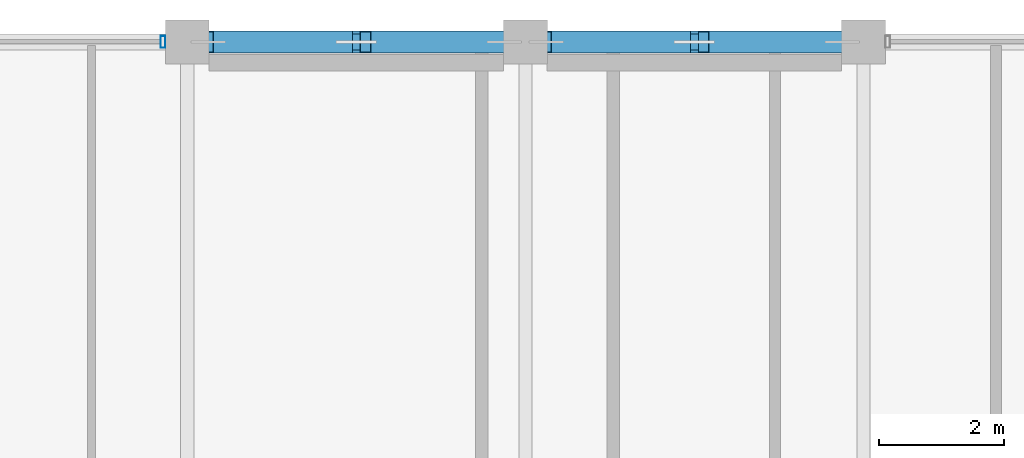
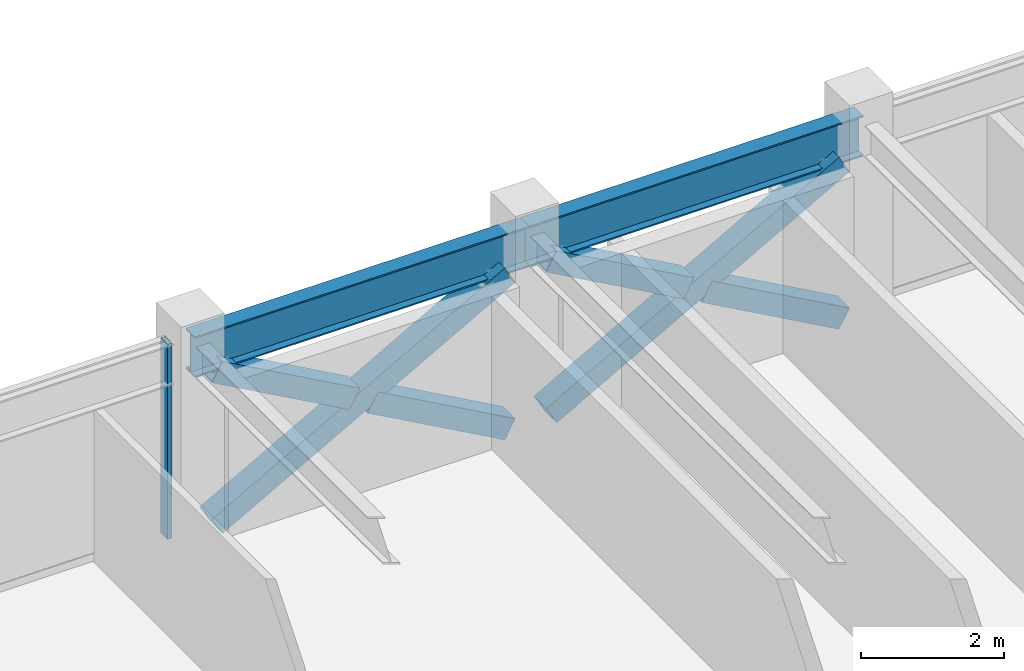
# One storey, part 19 of 31: 7 members, 2 beams, 1 element without a shape of its own.
"""IFC4 building model written with IfcOpenShell, lengths in metres."""

import ifcopenshell
import ifcopenshell.guid

model = None  # the IFC model being written
_history = None  # IfcOwnerHistory: only IFC2X3 demands one
_inside = {}  # id of a spatial element -> (the spatial element, [elements in it])
_under = {}  # id of a project, library or spatial element -> (it, [spatial elements below it])
_declared = {}  # id of a project -> (the project, [libraries it declares])
_typed = {}  # id of a type object -> (the type object, [elements of that type])
_made_of = {}  # id of a material, layer set ... -> (it, [elements and type objects made of it])


def new_model(schema):
    """Start an empty IFC model of exactly this schema.

    Asked for "IFC4X3", IfcOpenShell would pick the latest addendum, in which some entities
    have other attributes; the version numbers below select the first issue.
    IFC2X3 requires an IfcOwnerHistory on every rooted entity: one is made here for all.
    """
    global model, _history
    if schema == "IFC4X3":
        model = ifcopenshell.file(schema_version=(4, 3, 0, 0))
    else:
        model = ifcopenshell.file(schema=schema)
    _inside.clear()
    _under.clear()
    _declared.clear()
    _typed.clear()
    _made_of.clear()
    _history = None
    if model.schema == "IFC2X3":
        org = make("IfcOrganization", Name="unknown")
        user = make(
            "IfcPersonAndOrganization",
            ThePerson=make("IfcPerson", FamilyName="unknown"),
            TheOrganization=org,
        )
        app = make(
            "IfcApplication",
            ApplicationDeveloper=org,
            Version="unknown",
            ApplicationFullName="unknown",
            ApplicationIdentifier="unknown",
        )
        _history = make(
            "IfcOwnerHistory",
            OwningUser=user,
            OwningApplication=app,
            ChangeAction="ADDED",
            CreationDate=0,
        )
    return model


def make(cls, **values):
    """One entity of the class cls with the attributes given. An attribute that is None is left unset."""
    return model.create_entity(
        cls, **{name: value for name, value in values.items() if value is not None}
    )


def rooted(cls, **values):
    """An entity with a GlobalId (a new one), such as an element, a storey or a relation."""
    return make(cls, GlobalId=ifcopenshell.guid.new(), OwnerHistory=_history, **values)


def si_unit(unit_type, name, prefix=None):
    """IfcSIUnit, for example si_unit("LENGTHUNIT", "METRE", prefix="MILLI")."""
    return make("IfcSIUnit", UnitType=unit_type, Prefix=prefix, Name=name)


def assignment(units):
    """IfcUnitAssignment: the units of a project."""
    return None if units is None else make("IfcUnitAssignment", Units=units)


def point(xyz):
    """IfcCartesianPoint."""
    return None if xyz is None else make("IfcCartesianPoint", Coordinates=xyz)


def direction(xyz):
    """IfcDirection."""
    return None if xyz is None else make("IfcDirection", DirectionRatios=xyz)


def frame(location, z_axis=None, x_axis=None):
    """IfcAxis2Placement3D, a coordinate frame: its origin and axes. An axis left out is left unset."""
    return make(
        "IfcAxis2Placement3D",
        Location=point(location),
        Axis=direction(z_axis),
        RefDirection=direction(x_axis),
    )


def frame_2d(location, x_axis=None):
    """IfcAxis2Placement2D, a coordinate frame in the plane: its origin and x axis."""
    return make(
        "IfcAxis2Placement2D", Location=point(location), RefDirection=direction(x_axis)
    )


def origin():
    """The frame at (0, 0, 0) with its axes left unset."""
    return frame((0.0, 0.0, 0.0))


def origin_2d():
    """The frame at (0, 0) in the plane with its x axis left unset."""
    return frame_2d((0.0, 0.0))


def place(relative_to, where):
    """IfcLocalPlacement: puts the frame where relative to a parent placement (None: the world)."""
    return make(
        "IfcLocalPlacement", PlacementRelTo=relative_to, RelativePlacement=where
    )


def context(
    kind, dimensions, precision=None, world=None, true_north=None, identifier=None
):
    """IfcGeometricRepresentationContext, for example the 3D "Model" context."""
    return make(
        "IfcGeometricRepresentationContext",
        ContextIdentifier=identifier,
        ContextType=kind,
        CoordinateSpaceDimension=dimensions,
        Precision=precision,
        WorldCoordinateSystem=world,
        TrueNorth=true_north,
    )


def subcontext(parent, identifier, kind, view, scale=None):
    """IfcGeometricRepresentationSubContext, for example "Body" below "Model"."""
    return make(
        "IfcGeometricRepresentationSubContext",
        ContextIdentifier=identifier,
        ContextType=kind,
        ParentContext=parent,
        TargetScale=scale,
        TargetView=view,
    )


def project(units=None, contexts=None):
    """IfcProject with its units and contexts."""
    return rooted(
        "IfcProject",
        Name="project",
        RepresentationContexts=contexts,
        UnitsInContext=assignment(units),
    )


def spatial(cls, under=None, at=None, **own):
    """A site, building, storey or space (cls), placed at a placement, below another one or the project."""
    s = rooted(cls, ObjectPlacement=at, **own)
    if under is not None:
        _under.setdefault(under.id(), (under, []))[1].append(s)
    return s


def profile(cls, at=None, kind="AREA", **sizes):
    """A parametric profile (cls). Its sizes go by their IFC names, for example OverallWidth=200.0."""
    return make(cls, ProfileType=kind, Position=at, **sizes)


def hollow_rectangle(**sizes):
    """IfcRectangleHollowProfileDef."""
    return profile("IfcRectangleHollowProfileDef", **sizes)


def i_section(**sizes):
    """IfcIShapeProfileDef."""
    return profile("IfcIShapeProfileDef", **sizes)


def extrude(swept, where, along, depth):
    """IfcExtrudedAreaSolid: the profile swept, set in the frame where, extruded along a direction by depth."""
    return make(
        "IfcExtrudedAreaSolid",
        SweptArea=swept,
        Position=where,
        ExtrudedDirection=direction(along),
        Depth=depth,
    )


def shape(context_of_items, identifier, shape_type, items):
    """IfcShapeRepresentation: the items that make up one representation, for example the "Body"."""
    return make(
        "IfcShapeRepresentation",
        ContextOfItems=context_of_items,
        RepresentationIdentifier=identifier,
        RepresentationType=shape_type,
        Items=items,
    )


def material(Name=None, Category=None):
    """IfcMaterial."""
    return make("IfcMaterial", Name=Name, Category=Category)


def layer(
    of_material, thickness, ventilated=None, Name=None, Category=None, Priority=None
):
    """IfcMaterialLayer: one layer of a wall or slab, of a material (None: an air gap)."""
    return make(
        "IfcMaterialLayer",
        Material=of_material,
        LayerThickness=thickness,
        IsVentilated=ventilated,
        Name=Name,
        Category=Category,
        Priority=Priority,
    )


def layer_set(layers, Name=None):
    """IfcMaterialLayerSet."""
    return make("IfcMaterialLayerSet", MaterialLayers=layers, LayerSetName=Name)


def material_profile(
    of_material, cross_section, Name=None, Category=None, Priority=None
):
    """IfcMaterialProfile: a cross section and its material."""
    return make(
        "IfcMaterialProfile",
        Name=Name,
        Material=of_material,
        Profile=cross_section,
        Priority=Priority,
        Category=Category,
    )


def profile_set(profiles, Name=None, composite=None):
    """IfcMaterialProfileSet."""
    return make(
        "IfcMaterialProfileSet",
        Name=Name,
        MaterialProfiles=profiles,
        CompositeProfile=composite,
    )


def made_of(thing, what):
    """Note that an element or type object is made of a material, layer set ...; save() writes the relation."""
    if what is not None:
        _made_of.setdefault(what.id(), (what, []))[1].append(thing)
    return thing


def type_object(cls, material=None, **own):
    """A type object (cls), such as IfcWallType, which elements share."""
    return made_of(rooted(cls, **own), material)


def element(
    cls,
    number,
    at=None,
    inside=None,
    cuts=None,
    type_object=None,
    material=None,
    context=None,
    identifier="Body",
    shape_type=None,
    held_by="IfcProductDefinitionShape",
    body=None,
    shapes=None,
    **own,
):
    """One element of the class cls, such as IfcWall. Its Tag is "e" and its number.

    at: its placement. inside: the storey or other place that contains it. cuts: it is an
    opening in that element (IfcRelVoidsElement). A single representation is given by context,
    identifier, shape_type and body (its items); several are given by shapes. held_by: the class
    of the entity that holds the representations. save() writes the other relations.
    """
    e = rooted(cls, Tag="e%d" % number, ObjectPlacement=at, **own)
    if body is not None:
        shapes = [shape(context, identifier, shape_type, body)]
    if shapes is not None:
        e.Representation = make(held_by, Representations=shapes)
    if inside is not None:
        _inside.setdefault(inside.id(), (inside, []))[1].append(e)
    if cuts is not None:
        rooted(
            "IfcRelVoidsElement", RelatingBuildingElement=cuts, RelatedOpeningElement=e
        )
    if type_object is not None:
        _typed.setdefault(type_object.id(), (type_object, []))[1].append(e)
    return made_of(e, material)


def aggregate(whole, parts):
    """IfcRelAggregates: a whole, such as a stair, and the parts it consists of."""
    return rooted("IfcRelAggregates", RelatingObject=whole, RelatedObjects=parts)


def save(model, path):
    """Write the relations noted so far, then the file.

    IfcRelAggregates (storeys below a building ...), IfcRelContainedInSpatialStructure (elements
    in a storey), IfcRelDefinesByType, IfcRelAssociatesMaterial and IfcRelDeclares: one each for
    every whole, place, type object, material and project.
    """
    for whole, parts in _under.values():
        aggregate(whole, parts)
    for where, things in _inside.values():
        rooted(
            "IfcRelContainedInSpatialStructure",
            RelatedElements=things,
            RelatingStructure=where,
        )
    for kind, things in _typed.values():
        rooted("IfcRelDefinesByType", RelatedObjects=things, RelatingType=kind)
    for what, things in _made_of.values():
        rooted("IfcRelAssociatesMaterial", RelatedObjects=things, RelatingMaterial=what)
    for by, libraries in _declared.values():
        rooted("IfcRelDeclares", RelatingContext=by, RelatedDefinitions=libraries)
    model.write(path)


model = new_model("IFC4")

# Units and contexts
model_context = context("Model", 3, precision=1e-05, world=origin(), true_north=direction((0.0, 1.0)))
body_context = subcontext(model_context, "Body", "Model", "MODEL_VIEW")
ifc_project = project(units=[si_unit("LENGTHUNIT", "METRE"), si_unit("AREAUNIT", "SQUARE_METRE"), si_unit("VOLUMEUNIT", "CUBIC_METRE"), si_unit("PLANEANGLEUNIT", "RADIAN"), si_unit("MASSUNIT", "GRAM", prefix="KILO")], contexts=[model_context])

# Site, building, storey
site_placement = place(None, origin())
site = spatial("IfcSite", under=ifc_project, at=site_placement, CompositionType="ELEMENT")
building_placement = place(site_placement, origin())
building = spatial("IfcBuilding", under=site, at=building_placement, Name="Surkhivell Harbour Commons", CompositionType="ELEMENT")
storey_placement = place(building_placement, frame((0.0, 0.0, 333.75)))
storey = spatial("IfcBuildingStorey", under=building, at=storey_placement, Name="L87", CompositionType="ELEMENT", Elevation=333.75)

# Beams
ifc_material_1 = material(Name="Steel S355", Category="steel")
ifc_material_profile_1 = material_profile(ifc_material_1, i_section(OverallWidth=0.256103515625, OverallDepth=0.693115234375, WebThickness=0.014404296875, FlangeThickness=0.023681640625, at=origin_2d()), Name="UB686x254x170")
ifc_profile_set_1 = profile_set([ifc_material_profile_1], Name="Steel S355")
beam_type = type_object("IfcBeamType", Name="BM-SPN-686", PredefinedType="SPANDREL", material=ifc_profile_set_1)
for number, where, z_axis, x_axis, name in (
    (1, (-5.39990234375, 25.89990234375, 2.9833984375), (1.0, 0.0, 0.0), (0.0, 1.0, 0.0), "L87 Tube Spandrel (-5.4,25.9)"),
    (2, (0.0, 25.89990234375, 2.9833984375), (1.0, 0.0, 0.0), (0.0, 1.0, 0.0), "L87 Tube Spandrel (-0.0,25.9)"),
):
    element("IfcBeam", number, at=place(storey_placement, frame(where, z_axis=z_axis, x_axis=x_axis)), inside=storey, type_object=beam_type, Name=name, PredefinedType="SPANDREL", context=body_context, shape_type="SweptSolid", body=[
        extrude(i_section(OverallWidth=0.256103515625, OverallDepth=0.693115234375, WebThickness=0.014404296875, FlangeThickness=0.023681640625, at=origin_2d()), origin(), (0.0, 0.0, 1.0), 5.39990234375),
    ])

# Curtain wall, member
ifc_material_2 = material(Name="Anodised pale-metal aluminium and insulated glazing", Category="aluminium")
ifc_layer = layer(ifc_material_2, 0.175048828125)
ifc_layer_set = layer_set([ifc_layer], Name="Anodised pale-metal aluminium and insulated glazing")
curtain_wall_type = type_object("IfcCurtainWallType", Name="CW-SYS-Z4", PredefinedType="NOTDEFINED", material=ifc_layer_set)
curtain_wall_placement = place(storey_placement, origin())
curtain_wall = element("IfcCurtainWall", 3, at=curtain_wall_placement, inside=storey, type_object=curtain_wall_type, Name="L87 Curtain Wall CW-L87-E07S2", PredefinedType="NOTDEFINED")
ifc_material_3 = material(Name="Anodised pale-metal aluminium alloy 6063-T6", Category="aluminium")
ifc_material_profile_2 = material_profile(ifc_material_3, hollow_rectangle(XDim=0.074951171875, YDim=0.18994140625, WallThickness=0.00390625, at=origin_2d()), Name="ALU-MULL-75x190")
ifc_profile_set_2 = profile_set([ifc_material_profile_2], Name="Anodised pale-metal aluminium alloy 6063-T6")
member_type_1 = type_object("IfcMemberType", Name="CWM-190", PredefinedType="MULLION", material=ifc_profile_set_2)
member_1_placement = place(storey_placement, frame((-5.78955078125, 25.89990234375, 0.0), z_axis=(0.0, 0.0, 1.0), x_axis=(-1.0, 0.0, 0.0)))
member_1 = element("IfcMember", 4, at=member_1_placement, type_object=member_type_1, Name="CW-Z4 mullion 1", PredefinedType="MULLION", context=body_context, shape_type="SweptSolid", body=[
    extrude(hollow_rectangle(XDim=0.074951171875, YDim=0.18994140625, WallThickness=0.00390625, at=origin_2d()), origin(), (0.0, 0.0, 1.0), 3.330078125),
])
aggregate(curtain_wall, [member_1])

# Members
ifc_material_profile_3 = material_profile(ifc_material_1, hollow_rectangle(XDim=0.35009765625, YDim=0.35009765625, WallThickness=0.01611328125, at=origin_2d()), Name="SHS350x350x16")
ifc_profile_set_3 = profile_set([ifc_material_profile_3], Name="Steel S355")
member_type_2 = type_object("IfcMemberType", Name="MEM-BRC-SHS350", PredefinedType="BRACE", material=ifc_profile_set_3)
member_2_placement = place(storey_placement, frame((-5.06494140625, 25.89990234375, 0.008056640625), z_axis=(0.873742134314, 0.0, 0.486389435252), x_axis=(0.0, 1.0, 0.0)))
element("IfcMember", 5, at=member_2_placement, inside=storey, type_object=member_type_2, Name="L87 Perimeter Mega-Brace MB- 01", PredefinedType="BRACE", context=body_context, shape_type="SweptSolid", body=[
    extrude(hollow_rectangle(XDim=0.35009765625, YDim=0.35009765625, WallThickness=0.01611328125, at=origin_2d()), origin(), (0.0, 0.0, 1.0), 5.41357421875),
])
for number, where, z_axis, x_axis, name in (
    (6, (-0.3349609375, 25.89990234375, 0.008056640625), (-0.873739641, 0.0, 0.486393914173), (0.0, -1.0, 0.0), "L87 Perimeter Mega-Brace MB- 02"),
    (7, (-2.8466796875, 25.89990234375, 1.40625), (-0.873739641, 0.0, 0.486393914173), (0.0, -1.0, 0.0), "L87 Perimeter Mega-Brace MB- 03"),
):
    element("IfcMember", number, at=place(storey_placement, frame(where, z_axis=z_axis, x_axis=x_axis)), inside=storey, type_object=member_type_2, Name=name, PredefinedType="BRACE", context=body_context, shape_type="SweptSolid", body=[
        extrude(hollow_rectangle(XDim=0.35009765625, YDim=0.35009765625, WallThickness=0.01611328125, at=origin_2d()), origin(), (0.0, 0.0, 1.0), 2.538818359375),
    ])
member_3_placement = place(storey_placement, frame((0.3349609375, 25.89990234375, 0.008056640625), z_axis=(0.873742134314, 0.0, 0.486389435252), x_axis=(0.0, 1.0, 0.0)))
element("IfcMember", 8, at=member_3_placement, inside=storey, type_object=member_type_2, Name="L87 Perimeter Mega-Brace MB- 04", PredefinedType="BRACE", context=body_context, shape_type="SweptSolid", body=[
    extrude(hollow_rectangle(XDim=0.35009765625, YDim=0.35009765625, WallThickness=0.01611328125, at=origin_2d()), origin(), (0.0, 0.0, 1.0), 5.41357421875),
])
for number, where, z_axis, x_axis, name in (
    (9, (5.06494140625, 25.89990234375, 0.008056640625), (-0.873739641, 0.0, 0.486393914173), (0.0, -1.0, 0.0), "L87 Perimeter Mega-Brace MB- 05"),
    (10, (2.55322265625, 25.89990234375, 1.40625), (-0.873739641, 0.0, 0.486393914173), (0.0, -1.0, 0.0), "L87 Perimeter Mega-Brace MB- 06"),
):
    element("IfcMember", number, at=place(storey_placement, frame(where, z_axis=z_axis, x_axis=x_axis)), inside=storey, type_object=member_type_2, Name=name, PredefinedType="BRACE", context=body_context, shape_type="SweptSolid", body=[
        extrude(hollow_rectangle(XDim=0.35009765625, YDim=0.35009765625, WallThickness=0.01611328125, at=origin_2d()), origin(), (0.0, 0.0, 1.0), 2.538818359375),
    ])

save(model, "model.ifc")
